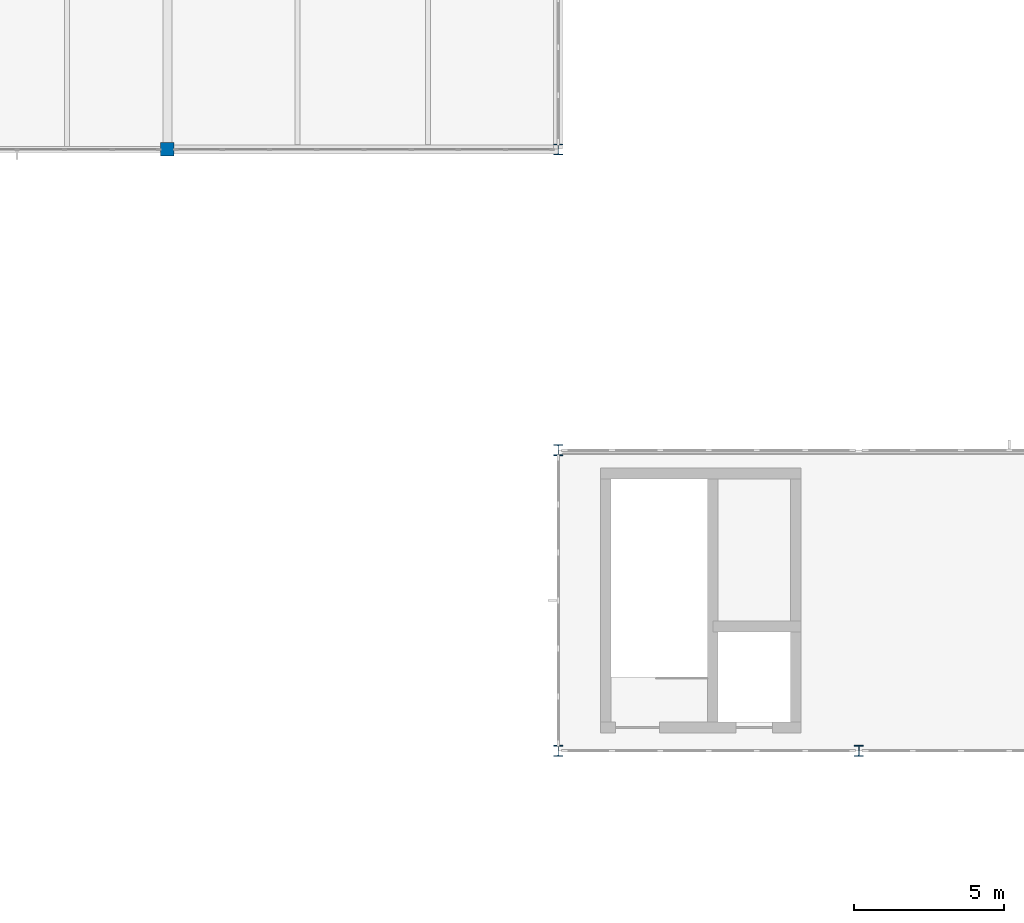
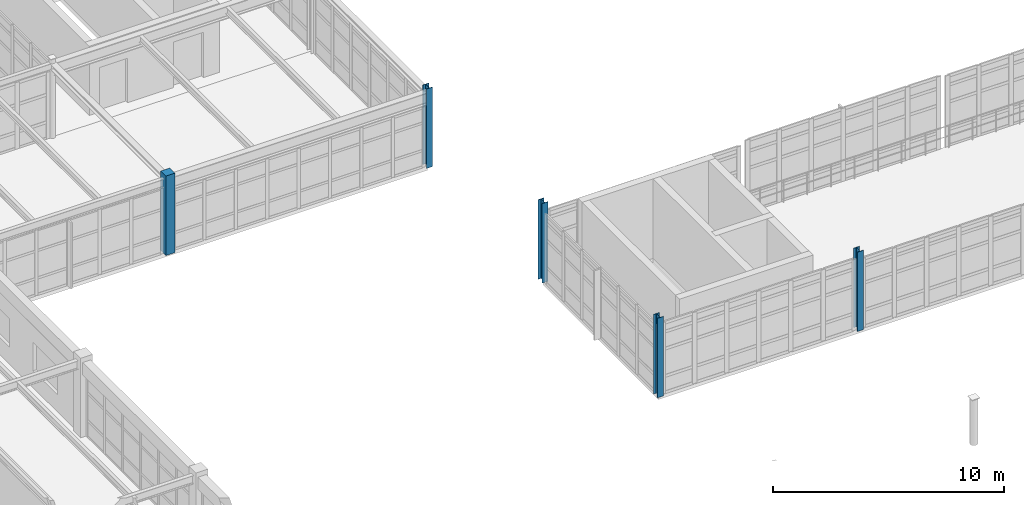
# One storey, part 6 of 122: 5 columns.
"""IFC4 building model written with IfcOpenShell, lengths in metres."""

from ifc_helpers import new_model, si_unit, direction, frame, origin, origin_2d, place, context, subcontext, project, spatial, rectangle, i_section, extrude, material, material_profile, profile_set, type_object, element, save


model = new_model("IFC4")

# Units and contexts
model_context = context("Model", 3, precision=1e-05, world=origin(), true_north=direction((0.0, 1.0)))
body_context = subcontext(model_context, "Body", "Model", "MODEL_VIEW")
ifc_project = project(units=[si_unit("LENGTHUNIT", "METRE"), si_unit("AREAUNIT", "SQUARE_METRE"), si_unit("VOLUMEUNIT", "CUBIC_METRE"), si_unit("PLANEANGLEUNIT", "RADIAN"), si_unit("MASSUNIT", "GRAM", prefix="KILO"), si_unit("THERMODYNAMICTEMPERATUREUNIT", "KELVIN"), si_unit("POWERUNIT", "WATT")], contexts=[model_context])

# Site, building, storey
site_placement = place(None, origin())
site = spatial("IfcSite", under=ifc_project, at=site_placement, CompositionType="ELEMENT")
building_placement = place(site_placement, origin())
building = spatial("IfcBuilding", under=site, at=building_placement, Name="Korenveer Ferry Terminal", CompositionType="ELEMENT")
storey_placement = place(building_placement, frame((0.0, 0.0, 10.199951171875)))
storey = spatial("IfcBuildingStorey", under=building, at=storey_placement, Name="L02", CompositionType="ELEMENT", Elevation=10.199951171875)

# Columns
ifc_material_1 = material(Name="Steel S355", Category="steel")
ifc_material_profile_1 = material_profile(ifc_material_1, i_section(OverallWidth=0.300048828125, OverallDepth=0.360107421875, WebThickness=0.012451171875, FlangeThickness=0.0224609375, FilletRadius=0.027099609375, at=origin_2d()), Name="HEB 360")
ifc_profile_set_1 = profile_set([ifc_material_profile_1], Name="Steel S355")
column_type_1 = type_object("IfcColumnType", Name="STR-COL-HEB360", PredefinedType="COLUMN", material=ifc_profile_set_1)
for number, where, z_axis, x_axis, name in (
    (1, (53.0, 50.0, 0.0), (0.0, 0.0, 1.0), (1.0, 0.0, 0.0), "Column COL-L02-X53-Y50"),
    (2, (53.0, 60.0, 0.0), (0.0, 0.0, 1.0), (1.0, 0.0, 0.0), "Column COL-L02-X53-Y60"),
    (3, (53.0, 70.0, 0.0), (0.0, 0.0, 1.0), (1.0, 0.0, 0.0), "Column COL-L02-X53-Y70"),
    (4, (63.0, 50.0, 0.0), (0.0, 0.0, 1.0), (1.0, 0.0, 0.0), "Column COL-L02-X63-Y50"),
):
    element("IfcColumn", number, at=place(storey_placement, frame(where, z_axis=z_axis, x_axis=x_axis)), inside=storey, type_object=column_type_1, Name=name, PredefinedType="COLUMN", context=body_context, shape_type="SweptSolid", body=[
        extrude(i_section(OverallWidth=0.300048828125, OverallDepth=0.360107421875, WebThickness=0.012451171875, FlangeThickness=0.0224609375, FilletRadius=0.027099609375, at=origin_2d()), origin(), (0.0, 0.0, 1.0), 4.199951171875),
    ])
ifc_material_2 = material(Name="Concrete C45/55", Category="concrete")
ifc_material_profile_2 = material_profile(ifc_material_2, rectangle(XDim=0.449951171875, YDim=0.449951171875, at=origin_2d()), Name="RC 450x450")
ifc_profile_set_2 = profile_set([ifc_material_profile_2], Name="Concrete C45/55")
column_type_2 = type_object("IfcColumnType", Name="STR-COL-RC450", PredefinedType="COLUMN", material=ifc_profile_set_2)
column_placement = place(storey_placement, frame((40.0, 70.0, 0.0), z_axis=(0.0, 0.0, 1.0), x_axis=(1.0, 0.0, 0.0)))
element("IfcColumn", 5, at=column_placement, inside=storey, type_object=column_type_2, Name="Column COL-L02-X40-Y70", PredefinedType="COLUMN", context=body_context, shape_type="SweptSolid", body=[
    extrude(rectangle(XDim=0.449951171875, YDim=0.449951171875, at=origin_2d()), origin(), (0.0, 0.0, 1.0), 4.199951171875),
])

save(model, "model.ifc")
